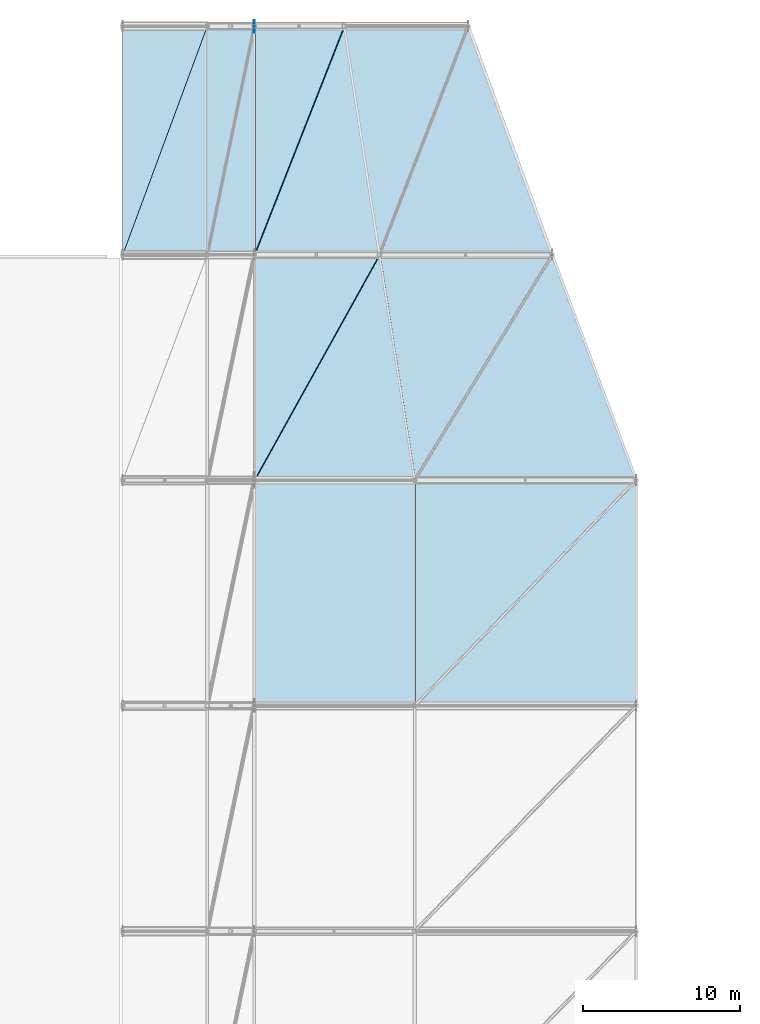
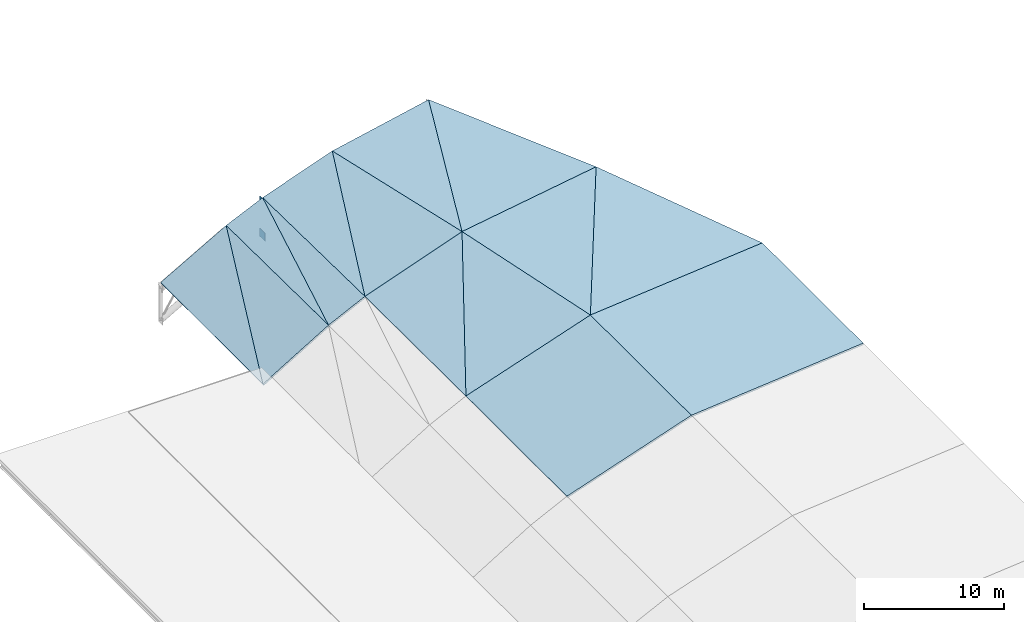
# One storey, part 27 of 36: 14 slabs, 2 plates.
"""IFC4 building model written with IfcOpenShell, lengths in metres."""

from ifc_helpers import new_model, si_unit, direction, frame, origin, origin_2d, place, context, subcontext, project, spatial, polyline, rectangle, outline, extrude, material, layer, layer_set, type_object, element, save


model = new_model("IFC4")

# Units and contexts
model_context = context("Model", 3, precision=1e-05, world=origin(), true_north=direction((0.0, 1.0)))
body_context = subcontext(model_context, "Body", "Model", "MODEL_VIEW")
ifc_project = project(units=[si_unit("LENGTHUNIT", "METRE"), si_unit("AREAUNIT", "SQUARE_METRE"), si_unit("VOLUMEUNIT", "CUBIC_METRE"), si_unit("PLANEANGLEUNIT", "RADIAN"), si_unit("MASSUNIT", "GRAM", prefix="KILO")], contexts=[model_context])

# Site, building, storey
site_placement = place(None, origin())
site = spatial("IfcSite", under=ifc_project, at=site_placement, CompositionType="ELEMENT")
building_placement = place(site_placement, origin())
building = spatial("IfcBuilding", under=site, at=building_placement, Name="Koshinbarg Plaza Stadium", CompositionType="ELEMENT")
storey_placement = place(building_placement, frame((0.0, 0.0, 34.199951171875)))
storey = spatial("IfcBuildingStorey", under=building, at=storey_placement, Name="RF", CompositionType="ELEMENT", Elevation=34.199951171875)

# Plates
ifc_material_1 = material(Name="Steel S355", Category="steel")
ifc_layer_1 = layer(ifc_material_1, 0.034912109375)
ifc_layer_set_1 = layer_set([ifc_layer_1], Name="Steel S355")
plate_type = type_object("IfcPlateType", Name="PLT-GUS-02", PredefinedType="USERDEFINED", material=ifc_layer_set_1)
for number, where, z_axis, x_axis, name in (
    (1, (54.60009765625, 126.5, 2.0966796875), (0.0, 0.0, 1.0), (1.0, 0.0, 0.0), "Roof truss node cap plate KN-03 WRB-08-3T"),
    (2, (54.60009765625, 126.5, -0.703125), (0.0, 0.0, 1.0), (1.0, 0.0, 0.0), "Roof truss node cap plate KN-03 WRB-08-3B"),
):
    element("IfcPlate", number, at=place(storey_placement, frame(where, z_axis=z_axis, x_axis=x_axis)), inside=storey, type_object=plate_type, Name=name, ObjectType="GUSSET_PLATE", PredefinedType="USERDEFINED", context=body_context, shape_type="SweptSolid", body=[
        extrude(rectangle(XDim=0.034912109375, YDim=0.800048828125, at=origin_2d()), origin(), (0.0, 0.0, 1.0), 0.699951171875),
    ])

# Slabs
ifc_material_2 = material(Name="Precast concrete C40/50", Category="concrete")
ifc_layer_2 = layer(ifc_material_2, 0.159912109375)
ifc_layer_set_2 = layer_set([ifc_layer_2], Name="Precast concrete C40/50")
slab_type = type_object("IfcSlabType", Name="SL-BARRELDECK-160", PredefinedType="ROOF", material=ifc_layer_set_2)
slab_1_placement = place(storey_placement, frame((54.60009765625, 83.10009765625, 3.199951171875), z_axis=(-0.319969871027, 0.0, 0.947427718422), x_axis=(0.947427718422, 0.0, 0.319969871027)))
element("IfcSlab", 3, at=slab_1_placement, inside=storey, type_object=slab_type, Name="Quarter-barrel stand roof deck west bay 5.3", PredefinedType="ROOF", context=body_context, shape_type="SweptSolid", body=[
    extrude(outline(polyline([(0.0, 0.0), (10.816448088978655, 0.0), (10.816448088978655, 14.399902343750004), (0.0, 14.399902343750004), (0.0, 0.0)])), origin(), (0.0, 0.0, -1.0), 0.159912109375),
])
slab_2_placement = place(storey_placement, frame((64.847900390625, 83.10009765625, 6.660888671875), z_axis=(-0.093248659413, 0.0, 0.995642851387), x_axis=(0.995642851387, 0.0, 0.093248659413)))
element("IfcSlab", 4, at=slab_2_placement, inside=storey, type_object=slab_type, Name="Quarter-barrel stand roof deck west bay 5.4", PredefinedType="ROOF", context=body_context, shape_type="SweptSolid", body=[
    extrude(outline(polyline([(0.0, 0.0), (14.21403226032544, 0.0), (14.21403226032544, 14.399902343750004), (0.0, 14.399902343750004), (0.0, 0.0)])), origin(), (0.0, 0.0, -1.0), 0.159912109375),
])
slab_3_placement = place(storey_placement, frame((54.60009765625, 97.5, 3.199951171875), z_axis=(-0.319965139828, -0.005438065665, 0.947413709388), x_axis=(0.947427718422, 0.0, 0.319969871027)))
element("IfcSlab", 5, at=slab_3_placement, inside=storey, type_object=slab_type, Name="Quarter-barrel stand roof deck west bay 6.3A", PredefinedType="ROOF", context=body_context, shape_type="SweptSolid", body=[
    extrude(outline(polyline([(0.0, 0.0), (10.816448088978655, -3.469446951953614e-18), (8.463405170676166, 14.400115269447507), (0.0, 0.0)])), origin(), (0.0, 0.0, -1.0), 0.159912109375),
])
slab_4_placement = place(storey_placement, frame((54.60009765625, 97.5, 3.199951171875), z_axis=(-0.335332639714, 0.004120908436, 0.942090780581), x_axis=(0.47855922362, 0.8621111184, 0.166569772224)))
element("IfcSlab", 6, at=slab_4_placement, inside=storey, type_object=slab_type, Name="Quarter-barrel stand roof deck west bay 6.3B", PredefinedType="ROOF", context=body_context, shape_type="SweptSolid", body=[
    extrude(outline(polyline([(0.0, 0.0), (16.70306998298227, -4.440892098500626e-16), (12.403823970767151, 7.314800471327552), (0.0, 0.0)])), origin(), (0.0, 0.0, -1.0), 0.159912109375),
])
slab_5_placement = place(storey_placement, frame((64.847900390625, 97.5, 6.660888671875), z_axis=(-0.093231722753, -0.019058462164, 0.995462013787), x_axis=(0.995642851387, 0.0, 0.093248659413)))
element("IfcSlab", 7, at=slab_5_placement, inside=storey, type_object=slab_type, Name="Quarter-barrel stand roof deck west bay 6.4A", PredefinedType="ROOF", context=body_context, shape_type="SweptSolid", body=[
    extrude(outline(polyline([(0.0, 0.0), (14.21403226032544, 0.0), (8.848328982323393, 14.402518258516583), (0.0, 0.0)])), origin(), (0.0, 0.0, -1.0), 0.159912109375),
])
slab_6_placement = place(storey_placement, frame((64.847900390625, 97.5, 6.660888671875), z_axis=(-0.158906167474, 0.021645200421, 0.987056389087), x_axis=(0.519668918426, 0.851893055771, 0.064980279711)))
element("IfcSlab", 8, at=slab_6_placement, inside=storey, type_object=slab_type, Name="Quarter-barrel stand roof deck west bay 6.4B", PredefinedType="ROOF", context=body_context, shape_type="SweptSolid", body=[
    extrude(outline(polyline([(0.0, 0.0), (16.9034155710119, 3.885780586188048e-16), (11.051535216092939, 9.526998484108542), (0.0, 0.0)])), origin(), (0.0, 0.0, -1.0), 0.159912109375),
])
slab_7_placement = place(storey_placement, frame((46.199951171875, 111.89990234375, -1.56005859375), z_axis=(-0.514715582304, 0.009905971369, 0.857303762423), x_axis=(0.857345828386, 0.0, 0.514740838237)))
element("IfcSlab", 9, at=slab_7_placement, inside=storey, type_object=slab_type, Name="Quarter-barrel stand roof deck west bay 7.1A", PredefinedType="ROOF", context=body_context, shape_type="SweptSolid", body=[
    extrude(outline(polyline([(0.0, 0.0), (6.298679372524365, 6.938893903907228e-18), (6.211841989901844, 14.600814050127756), (0.0, 0.0)])), origin(), (0.0, 0.0, -1.0), 0.159912109375),
])
slab_8_placement = place(storey_placement, frame((46.199951171875, 111.89990234375, -1.56005859375), z_axis=(-0.494644511145, 0.0, 0.869095396141), x_axis=(0.340332091174, 0.920138329779, 0.193699565794)))
element("IfcSlab", 10, at=slab_8_placement, inside=storey, type_object=slab_type, Name="Quarter-barrel stand roof deck west bay 7.1B", PredefinedType="ROOF", context=body_context, shape_type="SweptSolid", body=[
    extrude(outline(polyline([(0.0, 0.0), (15.867285584935933, 2.220446049250313e-16), (13.43410947203276, 5.717303058739878), (0.0, 0.0)])), origin(), (0.0, 0.0, -1.0), 0.159912109375),
])
slab_9_placement = place(storey_placement, frame((51.60009765625, 111.89990234375, 1.68212890625), z_axis=(-0.436291690637, 0.015420303295, 0.899673148942), x_axis=(0.899780132751, 0.0, 0.436343571864)))
element("IfcSlab", 11, at=slab_9_placement, inside=storey, type_object=slab_type, Name="Quarter-barrel stand roof deck west bay 7.2A", PredefinedType="ROOF", context=body_context, shape_type="SweptSolid", body=[
    extrude(outline(polyline([(0.0, 0.0), (3.334147855463587, 0.0), (3.224955433305288, 14.60183381349401), (0.0, 0.0)])), origin(), (0.0, 0.0, -1.0), 0.159912109375),
])
slab_10_placement = place(storey_placement, frame((51.60009765625, 111.89990234375, 1.68212890625), z_axis=(-0.416203643504, 0.0105057459, 0.909210732689), x_axis=(0.200618910731, 0.976351896122, 0.080554500777)))
element("IfcSlab", 12, at=slab_10_placement, inside=storey, type_object=slab_type, Name="Quarter-barrel stand roof deck west bay 7.2B", PredefinedType="ROOF", context=body_context, shape_type="SweptSolid", body=[
    extrude(outline(polyline([(0.0, 0.0), (14.953724895948246, 2.7755575615628914e-16), (14.24124339156924, 3.2215366394803233), (0.0, 0.0)])), origin(), (0.0, 0.0, -1.0), 0.159912109375),
])
slab_11_placement = place(storey_placement, frame((54.60009765625, 111.89990234375, 3.136962890625), z_axis=(-0.335292554774, 0.016001225728, 0.941978165081), x_axis=(0.942098779922, 0.0, 0.335335487041)))
element("IfcSlab", 13, at=slab_11_placement, inside=storey, type_object=slab_type, Name="Quarter-barrel stand roof deck west bay 7.3A", PredefinedType="ROOF", context=body_context, shape_type="SweptSolid", body=[
    extrude(outline(polyline([(0.0, 0.0), (8.484681620949686, 0.0), (6.008306905783806, 14.601967114091584), (0.0, 0.0)])), origin(), (0.0, 0.0, -1.0), 0.159912109375),
])
slab_12_placement = place(storey_placement, frame((54.60009765625, 111.89990234375, 3.136962890625), z_axis=(-0.335617293037, 0.016143382986, 0.941860087168), x_axis=(0.363448321386, 0.92465483347, 0.113660708351)))
element("IfcSlab", 14, at=slab_12_placement, inside=storey, type_object=slab_type, Name="Quarter-barrel stand roof deck west bay 7.3B", PredefinedType="ROOF", context=body_context, shape_type="SweptSolid", body=[
    extrude(outline(polyline([(0.0, 0.0), (15.789781362485723, 3.3306690738754696e-16), (13.471607940694918, 5.633937627819425), (0.0, 0.0)])), origin(), (0.0, 0.0, -1.0), 0.159912109375),
])
slab_13_placement = place(storey_placement, frame((62.593505859375, 111.89990234375, 5.982177734375), z_axis=(-0.158917290677, 0.018126728142, 0.987125481614), x_axis=(0.987287695583, 0.0, 0.158943405497)))
element("IfcSlab", 15, at=slab_13_placement, inside=storey, type_object=slab_type, Name="Quarter-barrel stand roof deck west bay 7.4A", PredefinedType="ROOF", context=body_context, shape_type="SweptSolid", body=[
    extrude(outline(polyline([(0.0, 0.0), (11.180706766769843, 6.938893903907228e-18), (5.700808972539418, 14.602496884954629), (0.0, 0.0)])), origin(), (0.0, 0.0, -1.0), 0.159912109375),
])
slab_14_placement = place(storey_placement, frame((62.593505859375, 111.89990234375, 5.982177734375), z_axis=(-0.209034175303, 0.03803092928, 0.977168543279), x_axis=(0.361729138383, 0.931375438456, 0.04113177708)))
element("IfcSlab", 16, at=slab_14_placement, inside=storey, type_object=slab_type, Name="Quarter-barrel stand roof deck west bay 7.4B", PredefinedType="ROOF", context=body_context, shape_type="SweptSolid", body=[
    extrude(outline(polyline([(0.0, 0.0), (15.675845693821291, -2.498001805406602e-16), (12.73939339374924, 7.5536568157564075), (0.0, 0.0)])), origin(), (0.0, 0.0, -1.0), 0.159912109375),
])

save(model, "model.ifc")
